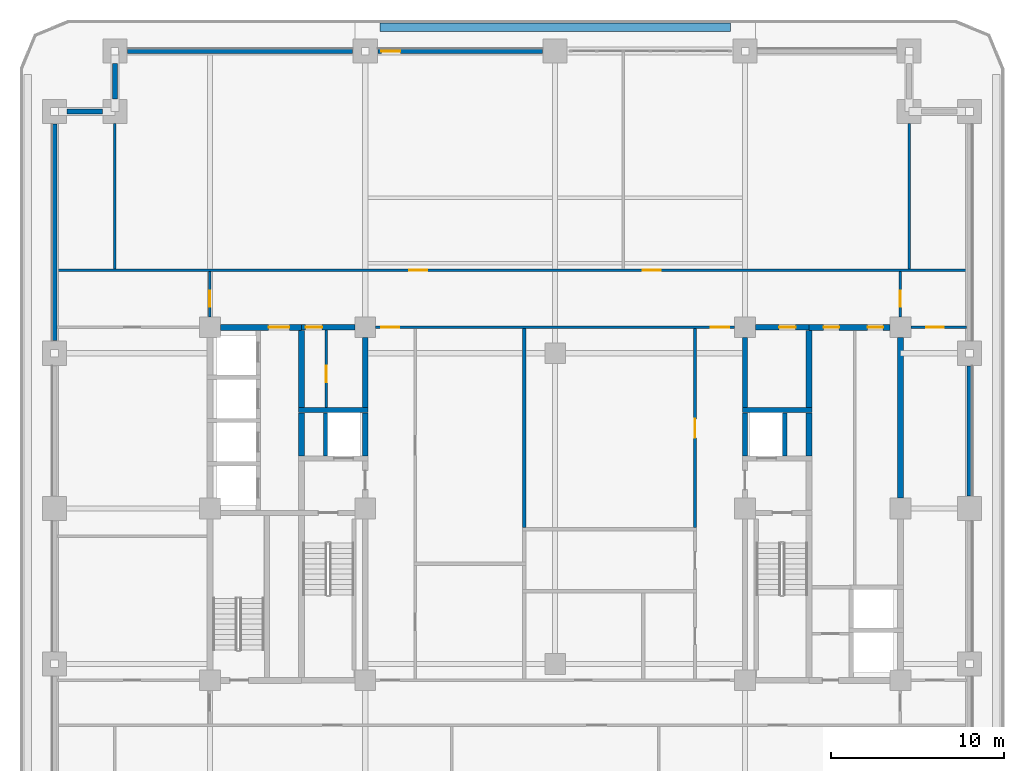
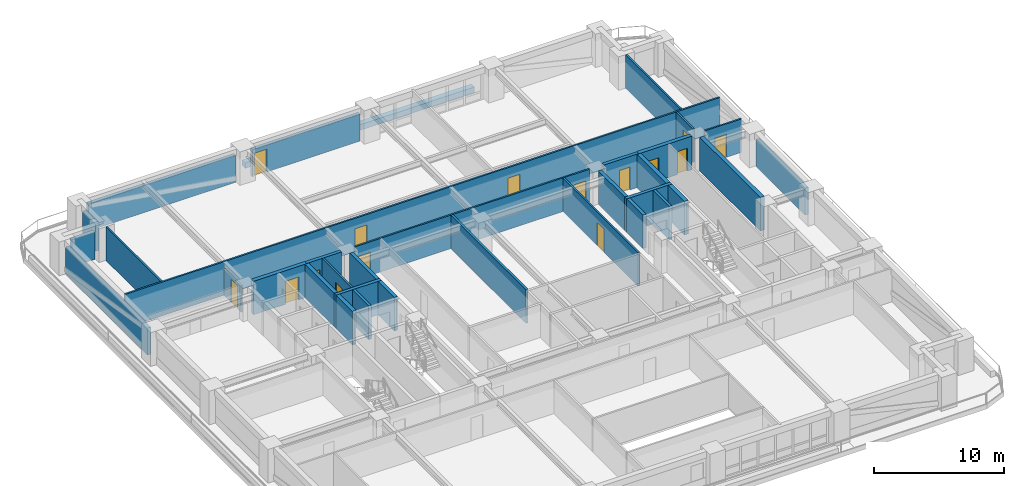
# One storey, part 9 of 18: 34 walls, 15 doors, 15 openings.
"""IFC4 building model written with IfcOpenShell, lengths in metres."""

from ifc_helpers import new_model, si_unit, direction, frame, frame_2d, origin, place, context, subcontext, project, spatial, rectangle, extrude, material, layer, layer_set, type_object, element, fill, save


model = new_model("IFC4")

# Units and contexts
model_context = context("Model", 3, precision=1e-05, world=origin(), true_north=direction((0.0, 1.0)))
body_context = subcontext(model_context, "Body", "Model", "MODEL_VIEW")
ifc_project = project(units=[si_unit("LENGTHUNIT", "METRE"), si_unit("AREAUNIT", "SQUARE_METRE"), si_unit("VOLUMEUNIT", "CUBIC_METRE"), si_unit("PLANEANGLEUNIT", "RADIAN"), si_unit("MASSUNIT", "GRAM", prefix="KILO")], contexts=[model_context])

# Site, building, storey
site_placement = place(None, origin())
site = spatial("IfcSite", under=ifc_project, at=site_placement, CompositionType="ELEMENT")
building_placement = place(site_placement, origin())
building = spatial("IfcBuilding", under=site, at=building_placement, Name="Zulmaris Gate Convention Tower", CompositionType="ELEMENT")
storey_placement = place(building_placement, frame((0.0, 0.0, 78.60986328125)))
storey = spatial("IfcBuildingStorey", under=building, at=storey_placement, Name="L19", CompositionType="ELEMENT", Elevation=78.60986328125)

# Walls
ifc_material_1 = material(Name="Concrete C50/60", Category="concrete")
ifc_layer_1 = layer(ifc_material_1, 0.25, Name="Concrete C50/60")
ifc_layer_set_1 = layer_set([ifc_layer_1], Name="Concrete C50/60")
wall_type_1 = type_object("IfcWallType", Name="CORE-250", PredefinedType="SOLIDWALL", material=ifc_layer_set_1)
for number, where, z_axis, x_axis, name in (
    (1, (-13.300048828125, 3.052001953125, 0.0), (0.0, 0.0, 1.0), (0.0, 1.0, 0.0), "WL-L19-050"),
    (2, (13.300048828125, 3.052001953125, 0.0), (0.0, 0.0, 1.0), (0.0, 1.0, 0.0), "WL-L19-061"),
):
    element("IfcWall", number, at=place(storey_placement, frame(where, z_axis=z_axis, x_axis=x_axis)), inside=storey, type_object=wall_type_1, Name=name, PredefinedType="SOLIDWALL", context=body_context, shape_type="SweptSolid", body=[
        extrude(rectangle(XDim=2.49609375, YDim=0.25, at=frame_2d((1.248046875, 0.0))), origin(), (0.0, 0.0, 1.0), 3.14501953125),
    ])
ifc_layer_2 = layer(ifc_material_1, 0.300048828125, Name="Concrete C50/60")
ifc_layer_set_2 = layer_set([ifc_layer_2], Name="Concrete C50/60")
wall_type_2 = type_object("IfcWallType", Name="CORE-300", PredefinedType="SHEAR", material=ifc_layer_set_2)
for number, where, z_axis, x_axis, name in (
    (3, (-14.875, 5.699951171875, 0.0), (0.0, 0.0, 1.0), (1.0, 0.0, 0.0), "WL-L19-013"),
    (4, (10.85009765625, 5.699951171875, 0.0), (0.0, 0.0, 1.0), (1.0, 0.0, 0.0), "WL-L19-014"),
):
    element("IfcWall", number, at=place(storey_placement, frame(where, z_axis=z_axis, x_axis=x_axis)), inside=storey, type_object=wall_type_2, Name=name, PredefinedType="SHEAR", context=body_context, shape_type="SweptSolid", body=[
        extrude(rectangle(XDim=4.02490234375, YDim=0.300048828125, at=frame_2d((2.012451171875, 0.0))), origin(), (0.0, 0.0, 1.0), 3.14501953125),
    ])

# Wall, opening, door
wall_1_placement = place(storey_placement, frame((-14.699951171875, 10.5, 0.0), z_axis=(0.0, 0.0, 1.0), x_axis=(1.0, 0.0, 0.0)))
wall_1 = element("IfcWall", 5, at=wall_1_placement, inside=storey, type_object=wall_type_2, Name="WL-L19-017", PredefinedType="SHEAR", context=body_context, shape_type="SweptSolid", body=[
    extrude(rectangle(XDim=3.095947265625, YDim=0.300048828125, at=frame_2d((1.5478515625, 0.0))), origin(), (0.0, 0.0, 1.0), 3.14501953125),
])
opening_1_placement = place(wall_1_placement, frame((0.2451171875, 0.0, 0.0)))
opening_1 = element("IfcOpeningElement", 6, at=opening_1_placement, cuts=wall_1, Name="Opening D-11", PredefinedType="OPENING", context=body_context, shape_type="SweptSolid", body=[
    extrude(rectangle(XDim=0.949951171875, YDim=2.14990234375, at=frame_2d((0.47509765625, 1.074951171875))), frame((0.0, 0.16015625, 0.0), z_axis=(0.0, -1.0, 0.0), x_axis=(1.0, 0.0, 0.0)), (0.0, 0.0, 1.0), 0.320068359375),
])
ifc_material_2 = material(Name="Fire-Rated Timber", Category="wood")
door_type_1 = type_object("IfcDoorType", Name="DR-950-FD", OperationType="NOTDEFINED", PredefinedType="DOOR", material=ifc_material_2)
door_1_placement = place(opening_1_placement, origin())
door_1 = element("IfcDoor", 7, at=door_1_placement, inside=storey, type_object=door_type_1, Name="L19 Core Mail Room Door 07", OperationType="SINGLE_SWING_RIGHT", OverallHeight=2.14990234375, OverallWidth=0.949951171875, PredefinedType="DOOR", context=body_context, shape_type="SweptSolid", body=[
    extrude(rectangle(XDim=0.949951171875, YDim=2.14990234375, at=frame_2d((0.47509765625, 1.074951171875))), frame((0.0, 0.02490234375, 0.0), z_axis=(0.0, -1.0, 0.0), x_axis=(1.0, 0.0, 0.0)), (0.0, 0.0, 1.0), 0.050048828125),
])
fill(opening_1, door_1)

wall_2_placement = place(storey_placement, frame((11.60400390625, 10.5, 0.0), z_axis=(0.0, 0.0, 1.0), x_axis=(1.0, 0.0, 0.0)))
wall_2 = element("IfcWall", 8, at=wall_2_placement, inside=storey, type_object=wall_type_2, Name="WL-L19-018", PredefinedType="SHEAR", context=body_context, shape_type="SweptSolid", body=[
    extrude(rectangle(XDim=3.095947265625, YDim=0.300048828125, at=frame_2d((1.5478515625, 0.0))), origin(), (0.0, 0.0, 1.0), 3.14501953125),
])
opening_2_placement = place(wall_2_placement, frame((1.37109375, 0.0, 0.0)))
opening_2 = element("IfcOpeningElement", 9, at=opening_2_placement, cuts=wall_2, Name="Opening D-11", PredefinedType="OPENING", context=body_context, shape_type="SweptSolid", body=[
    extrude(rectangle(XDim=0.949951171875, YDim=2.14990234375, at=frame_2d((0.47509765625, 1.074951171875))), frame((0.0, 0.16015625, 0.0), z_axis=(0.0, -1.0, 0.0), x_axis=(1.0, 0.0, 0.0)), (0.0, 0.0, 1.0), 0.320068359375),
])
door_2_placement = place(opening_2_placement, origin())
door_2 = element("IfcDoor", 10, at=door_2_placement, inside=storey, type_object=door_type_1, Name="L19 Core Tea Pantry Door 09", OperationType="SINGLE_SWING_RIGHT", OverallHeight=2.14990234375, OverallWidth=0.949951171875, PredefinedType="DOOR", context=body_context, shape_type="SweptSolid", body=[
    extrude(rectangle(XDim=0.949951171875, YDim=2.14990234375, at=frame_2d((0.47509765625, 1.074951171875))), frame((0.0, 0.02490234375, 0.0), z_axis=(0.0, -1.0, 0.0), x_axis=(1.0, 0.0, 0.0)), (0.0, 0.0, 1.0), 0.050048828125),
])
fill(opening_2, door_2)

# Walls
wall_3_placement = place(storey_placement, frame((-11.0, 3.052001953125, 0.0), z_axis=(0.0, 0.0, 1.0), x_axis=(0.0, 1.0, 0.0)))
element("IfcWall", 11, at=wall_3_placement, inside=storey, type_object=wall_type_2, Name="WL-L19-054", PredefinedType="SHEAR", context=body_context, shape_type="SweptSolid", body=[
    extrude(rectangle(XDim=2.49609375, YDim=0.300048828125, at=frame_2d((1.248046875, 0.0))), origin(), (0.0, 0.0, 1.0), 3.14501953125),
])
wall_4_placement = place(storey_placement, frame((-11.0, 5.85205078125, 0.0), z_axis=(0.0, 0.0, 1.0), x_axis=(0.0, 1.0, 0.0)))
element("IfcWall", 12, at=wall_4_placement, inside=storey, type_object=wall_type_2, Name="WL-L19-055", PredefinedType="SHEAR", context=body_context, shape_type="SweptSolid", body=[
    extrude(rectangle(XDim=4.0439453125, YDim=0.300048828125, at=frame_2d((2.02197265625, 0.0))), origin(), (0.0, 0.0, 1.0), 3.14501953125),
])
wall_5_placement = place(storey_placement, frame((11.0, 3.052001953125, 0.0), z_axis=(0.0, 0.0, 1.0), x_axis=(0.0, 1.0, 0.0)))
element("IfcWall", 13, at=wall_5_placement, inside=storey, type_object=wall_type_2, Name="WL-L19-058", PredefinedType="SHEAR", context=body_context, shape_type="SweptSolid", body=[
    extrude(rectangle(XDim=2.49609375, YDim=0.300048828125, at=frame_2d((1.248046875, 0.0))), origin(), (0.0, 0.0, 1.0), 3.14501953125),
])
wall_6_placement = place(storey_placement, frame((11.0, 5.85205078125, 0.0), z_axis=(0.0, 0.0, 1.0), x_axis=(0.0, 1.0, 0.0)))
element("IfcWall", 14, at=wall_6_placement, inside=storey, type_object=wall_type_2, Name="WL-L19-059", PredefinedType="SHEAR", context=body_context, shape_type="SweptSolid", body=[
    extrude(rectangle(XDim=4.0439453125, YDim=0.300048828125, at=frame_2d((2.02197265625, 0.0))), origin(), (0.0, 0.0, 1.0), 3.14501953125),
])

# Wall, opening, door
ifc_material_3 = material(Name="Concrete C55/67", Category="concrete")
ifc_layer_3 = layer(ifc_material_3, 0.35009765625, Name="Concrete C55/67")
ifc_layer_set_3 = layer_set([ifc_layer_3], Name="Concrete C55/67")
wall_type_3 = type_object("IfcWallType", Name="CORE-350", PredefinedType="SHEAR", material=ifc_layer_set_3)
wall_7_placement = place(storey_placement, frame((-19.39599609375, 10.5, 0.0), z_axis=(0.0, 0.0, 1.0), x_axis=(1.0, 0.0, 0.0)))
wall_7 = element("IfcWall", 15, at=wall_7_placement, inside=storey, type_object=wall_type_3, Name="WL-L19-016", PredefinedType="SHEAR", context=body_context, shape_type="SweptSolid", body=[
    extrude(rectangle(XDim=4.696044921875, YDim=0.35009765625, at=frame_2d((2.34814453125, 0.0))), origin(), (0.0, 0.0, 1.0), 3.14501953125),
])
opening_3_placement = place(wall_7_placement, frame((2.7958984375, 0.0, 0.0)))
opening_3 = element("IfcOpeningElement", 16, at=opening_3_placement, cuts=wall_7, Name="Opening D-13", PredefinedType="OPENING", context=body_context, shape_type="SweptSolid", body=[
    extrude(rectangle(XDim=1.199951171875, YDim=2.14990234375, at=frame_2d((0.60009765625, 1.074951171875))), frame((0.0, 0.18505859375, 0.0), z_axis=(0.0, -1.0, 0.0), x_axis=(1.0, 0.0, 0.0)), (0.0, 0.0, 1.0), 0.3701171875),
])
ifc_material_4 = material(Name="Fire-Rated Steel", Category="steel")
door_type_2 = type_object("IfcDoorType", Name="DR-1200-FD", OperationType="NOTDEFINED", PredefinedType="DOOR", material=ifc_material_4)
door_3_placement = place(opening_3_placement, origin())
door_3 = element("IfcDoor", 17, at=door_3_placement, inside=storey, type_object=door_type_2, Name="L19 Low-Rise Lift Lobby Door 11", OperationType="SINGLE_SWING_RIGHT", OverallHeight=2.14990234375, OverallWidth=1.199951171875, PredefinedType="DOOR", context=body_context, shape_type="SweptSolid", body=[
    extrude(rectangle(XDim=1.199951171875, YDim=2.14990234375, at=frame_2d((0.60009765625, 1.074951171875))), frame((0.0, 0.02490234375, 0.0), z_axis=(0.0, -1.0, 0.0), x_axis=(1.0, 0.0, 0.0)), (0.0, 0.0, 1.0), 0.050048828125),
])
fill(opening_3, door_3)

# Wall, openings, doors
wall_8_placement = place(storey_placement, frame((14.699951171875, 10.5, 0.0), z_axis=(0.0, 0.0, 1.0), x_axis=(1.0, 0.0, 0.0)))
wall_8 = element("IfcWall", 18, at=wall_8_placement, inside=storey, type_object=wall_type_3, Name="WL-L19-019", PredefinedType="SHEAR", context=body_context, shape_type="SweptSolid", body=[
    extrude(rectangle(XDim=4.696044921875, YDim=0.35009765625, at=frame_2d((2.34814453125, 0.0))), origin(), (0.0, 0.0, 1.0), 3.14501953125),
])
opening_4_placement = place(wall_8_placement, frame((0.85009765625, 0.0, 0.0)))
opening_4 = element("IfcOpeningElement", 19, at=opening_4_placement, cuts=wall_8, Name="Opening D-12", PredefinedType="OPENING", context=body_context, shape_type="SweptSolid", body=[
    extrude(rectangle(XDim=0.89990234375, YDim=2.14990234375, at=frame_2d((0.449951171875, 1.074951171875))), frame((0.0, 0.18505859375, 0.0), z_axis=(0.0, -1.0, 0.0), x_axis=(1.0, 0.0, 0.0)), (0.0, 0.0, 1.0), 0.3701171875),
])
opening_5_placement = place(wall_8_placement, frame((3.39990234375, 0.0, 0.0)))
opening_5 = element("IfcOpeningElement", 20, at=opening_5_placement, cuts=wall_8, Name="Opening D-12", PredefinedType="OPENING", context=body_context, shape_type="SweptSolid", body=[
    extrude(rectangle(XDim=0.89990234375, YDim=2.14990234375, at=frame_2d((0.449951171875, 1.074951171875))), frame((0.0, 0.18505859375, 0.0), z_axis=(0.0, -1.0, 0.0), x_axis=(1.0, 0.0, 0.0)), (0.0, 0.0, 1.0), 0.3701171875),
])
door_type_3 = type_object("IfcDoorType", Name="DR-900-FD", OperationType="NOTDEFINED", PredefinedType="DOOR", material=ifc_material_2)
door_4_placement = place(opening_4_placement, origin())
door_4 = element("IfcDoor", 21, at=door_4_placement, inside=storey, type_object=door_type_3, Name="L19 East IT Room Door 18", OperationType="SINGLE_SWING_LEFT", OverallHeight=2.14990234375, OverallWidth=0.89990234375, PredefinedType="DOOR", context=body_context, shape_type="SweptSolid", body=[
    extrude(rectangle(XDim=0.89990234375, YDim=2.14990234375, at=frame_2d((0.449951171875, 1.074951171875))), frame((0.0, 0.02490234375, 0.0), z_axis=(0.0, -1.0, 0.0), x_axis=(1.0, 0.0, 0.0)), (0.0, 0.0, 1.0), 0.050048828125),
])
fill(opening_4, door_4)
door_5_placement = place(opening_5_placement, origin())
door_5 = element("IfcDoor", 22, at=door_5_placement, inside=storey, type_object=door_type_3, Name="L19 East Linen Store Door 19", OperationType="SINGLE_SWING_RIGHT", OverallHeight=2.14990234375, OverallWidth=0.89990234375, PredefinedType="DOOR", context=body_context, shape_type="SweptSolid", body=[
    extrude(rectangle(XDim=0.89990234375, YDim=2.14990234375, at=frame_2d((0.449951171875, 1.074951171875))), frame((0.0, 0.02490234375, 0.0), z_axis=(0.0, -1.0, 0.0), x_axis=(1.0, 0.0, 0.0)), (0.0, 0.0, 1.0), 0.050048828125),
])
fill(opening_5, door_5)

# Walls
wall_9_placement = place(storey_placement, frame((-14.699951171875, 3.052001953125, 0.0), z_axis=(0.0, 0.0, 1.0), x_axis=(0.0, 1.0, 0.0)))
element("IfcWall", 23, at=wall_9_placement, inside=storey, type_object=wall_type_3, Name="WL-L19-048", PredefinedType="SHEAR", context=body_context, shape_type="SweptSolid", body=[
    extrude(rectangle(XDim=2.49609375, YDim=0.35009765625, at=frame_2d((1.248046875, 0.0))), origin(), (0.0, 0.0, 1.0), 3.14501953125),
])
wall_10_placement = place(storey_placement, frame((-14.699951171875, 5.85205078125, 0.0), z_axis=(0.0, 0.0, 1.0), x_axis=(0.0, 1.0, 0.0)))
element("IfcWall", 24, at=wall_10_placement, inside=storey, type_object=wall_type_3, Name="WL-L19-049", PredefinedType="SHEAR", context=body_context, shape_type="SweptSolid", body=[
    extrude(rectangle(XDim=4.470947265625, YDim=0.35009765625, at=frame_2d((2.2353515625, 0.0))), origin(), (0.0, 0.0, 1.0), 3.14501953125),
])
wall_11_placement = place(storey_placement, frame((14.699951171875, 3.052001953125, 0.0), z_axis=(0.0, 0.0, 1.0), x_axis=(0.0, 1.0, 0.0)))
element("IfcWall", 25, at=wall_11_placement, inside=storey, type_object=wall_type_3, Name="WL-L19-064", PredefinedType="SHEAR", context=body_context, shape_type="SweptSolid", body=[
    extrude(rectangle(XDim=2.49609375, YDim=0.35009765625, at=frame_2d((1.248046875, 0.0))), origin(), (0.0, 0.0, 1.0), 3.14501953125),
])
wall_12_placement = place(storey_placement, frame((14.699951171875, 5.85205078125, 0.0), z_axis=(0.0, 0.0, 1.0), x_axis=(0.0, 1.0, 0.0)))
element("IfcWall", 26, at=wall_12_placement, inside=storey, type_object=wall_type_3, Name="WL-L19-065", PredefinedType="SHEAR", context=body_context, shape_type="SweptSolid", body=[
    extrude(rectangle(XDim=4.470947265625, YDim=0.35009765625, at=frame_2d((2.2353515625, 0.0))), origin(), (0.0, 0.0, 1.0), 3.14501953125),
])
wall_13_placement = place(storey_placement, frame((20.0, 0.60400390625, 0.0), z_axis=(0.0, 0.0, 1.0), x_axis=(0.0, 1.0, 0.0)))
element("IfcWall", 27, at=wall_13_placement, inside=storey, type_object=wall_type_3, Name="WL-L19-070S1", PredefinedType="SHEAR", context=body_context, shape_type="SweptSolid", body=[
    extrude(rectangle(XDim=9.2919921875, YDim=0.35009765625, at=frame_2d((4.64599609375, 0.0))), origin(), (0.0, 0.0, 1.0), 3.14501953125),
])

# Wall, openings, doors
ifc_material_5 = material(Name="Gypsum Metal Stud Partition")
ifc_layer_4 = layer(ifc_material_5, 0.14990234375, Name="Gypsum Metal Stud Partition")
ifc_layer_set_4 = layer_set([ifc_layer_4], Name="Gypsum Metal Stud Partition")
wall_type_4 = type_object("IfcWallType", Name="PART-150", PredefinedType="PARTITIONING", material=ifc_layer_set_4)
wall_14_placement = place(storey_placement, frame((-10.39404296875, 10.5, 0.0), z_axis=(0.0, 0.0, 1.0), x_axis=(1.0, 0.0, 0.0)))
wall_14 = element("IfcWall", 28, at=wall_14_placement, inside=storey, type_object=wall_type_4, Name="WL-L19-033", PredefinedType="PARTITIONING", context=body_context, shape_type="SweptSolid", body=[
    extrude(rectangle(XDim=20.7880859375, YDim=0.14990234375, at=frame_2d((10.39404296875, 0.0))), origin(), (0.0, 0.0, 1.0), 3.14501953125),
])
opening_6_placement = place(wall_14_placement, frame((0.319091796875, 0.0, 0.0)))
opening_6 = element("IfcOpeningElement", 29, at=opening_6_placement, cuts=wall_14, Name="Opening D-09", PredefinedType="OPENING", context=body_context, shape_type="SweptSolid", body=[
    extrude(rectangle(XDim=1.050048828125, YDim=2.14990234375, at=frame_2d((0.52490234375, 1.074951171875))), frame((0.0, 0.0849609375, 0.0), z_axis=(0.0, -1.0, 0.0), x_axis=(1.0, 0.0, 0.0)), (0.0, 0.0, 1.0), 0.169921875),
])
opening_7_placement = place(wall_14_placement, frame((19.4189453125, 0.0, 0.0)))
opening_7 = element("IfcOpeningElement", 30, at=opening_7_placement, cuts=wall_14, Name="Opening D-09", PredefinedType="OPENING", context=body_context, shape_type="SweptSolid", body=[
    extrude(rectangle(XDim=1.050048828125, YDim=2.14990234375, at=frame_2d((0.52490234375, 1.074951171875))), frame((0.0, 0.0849609375, 0.0), z_axis=(0.0, -1.0, 0.0), x_axis=(1.0, 0.0, 0.0)), (0.0, 0.0, 1.0), 0.169921875),
])
door_type_4 = type_object("IfcDoorType", Name="DR-1050-FD", OperationType="NOTDEFINED", PredefinedType="DOOR", material=ifc_material_4)
door_6_placement = place(opening_6_placement, origin())
door_6 = element("IfcDoor", 31, at=door_6_placement, inside=storey, type_object=door_type_4, Name="L19 NW Spine Link Door 20", OperationType="SINGLE_SWING_LEFT", OverallHeight=2.14990234375, OverallWidth=1.050048828125, PredefinedType="DOOR", context=body_context, shape_type="SweptSolid", body=[
    extrude(rectangle(XDim=1.050048828125, YDim=2.14990234375, at=frame_2d((0.52490234375, 1.074951171875))), frame((0.0, 0.02490234375, 0.0), z_axis=(0.0, -1.0, 0.0), x_axis=(1.0, 0.0, 0.0)), (0.0, 0.0, 1.0), 0.050048828125),
])
fill(opening_6, door_6)
door_7_placement = place(opening_7_placement, origin())
door_7 = element("IfcDoor", 32, at=door_7_placement, inside=storey, type_object=door_type_4, Name="L19 NE Spine Link Door 22", OperationType="SINGLE_SWING_LEFT", OverallHeight=2.14990234375, OverallWidth=1.050048828125, PredefinedType="DOOR", context=body_context, shape_type="SweptSolid", body=[
    extrude(rectangle(XDim=1.050048828125, YDim=2.14990234375, at=frame_2d((0.52490234375, 1.074951171875))), frame((0.0, 0.02490234375, 0.0), z_axis=(0.0, -1.0, 0.0), x_axis=(1.0, 0.0, 0.0)), (0.0, 0.0, 1.0), 0.050048828125),
])
fill(opening_7, door_7)

# Wall, opening, door
wall_15_placement = place(storey_placement, frame((20.60595703125, 10.5, 0.0), z_axis=(0.0, 0.0, 1.0), x_axis=(1.0, 0.0, 0.0)))
wall_15 = element("IfcWall", 33, at=wall_15_placement, inside=storey, type_object=wall_type_4, Name="WL-L19-034", PredefinedType="PARTITIONING", context=body_context, shape_type="SweptSolid", body=[
    extrude(rectangle(XDim=3.22900390625, YDim=0.14990234375, at=frame_2d((1.614501953125, 0.0))), origin(), (0.0, 0.0, 1.0), 3.14501953125),
])
opening_8_placement = place(wall_15_placement, frame((0.89404296875, 0.0, 0.0)))
opening_8 = element("IfcOpeningElement", 34, at=opening_8_placement, cuts=wall_15, Name="Opening D-10", PredefinedType="OPENING", context=body_context, shape_type="SweptSolid", body=[
    extrude(rectangle(XDim=1.0, YDim=2.14990234375, at=frame_2d((0.5, 1.074951171875))), frame((0.0, 0.0849609375, 0.0), z_axis=(0.0, -1.0, 0.0), x_axis=(1.0, 0.0, 0.0)), (0.0, 0.0, 1.0), 0.169921875),
])
door_type_5 = type_object("IfcDoorType", Name="DR-1000-FD", OperationType="NOTDEFINED", PredefinedType="DOOR", material=ifc_material_2)
door_8_placement = place(opening_8_placement, origin())
door_8 = element("IfcDoor", 35, at=door_8_placement, inside=storey, type_object=door_type_5, Name="L19 East Workplace North Door 43", OperationType="SINGLE_SWING_RIGHT", OverallHeight=2.14990234375, OverallWidth=1.0, PredefinedType="DOOR", context=body_context, shape_type="SweptSolid", body=[
    extrude(rectangle(XDim=1.0, YDim=2.14990234375, at=frame_2d((0.5, 1.074951171875))), frame((0.0, 0.02490234375, 0.0), z_axis=(0.0, -1.0, 0.0), x_axis=(1.0, 0.0, 0.0)), (0.0, 0.0, 1.0), 0.050048828125),
])
fill(opening_8, door_8)

# Wall, openings, doors
wall_16_placement = place(storey_placement, frame((-28.8349609375, 13.800048828125, 0.0), z_axis=(0.0, 0.0, 1.0), x_axis=(1.0, 0.0, 0.0)))
wall_16 = element("IfcWall", 36, at=wall_16_placement, inside=storey, type_object=wall_type_4, Name="WL-L19-035", PredefinedType="PARTITIONING", context=body_context, shape_type="SweptSolid", body=[
    extrude(rectangle(XDim=52.669921875, YDim=0.14990234375, at=frame_2d((26.3349609375, 0.0))), origin(), (0.0, 0.0, 1.0), 3.14501953125),
])
opening_9_placement = place(wall_16_placement, frame((20.3798828125, 0.0, 0.0)))
opening_9 = element("IfcOpeningElement", 37, at=opening_9_placement, cuts=wall_16, Name="Opening D-09", PredefinedType="OPENING", context=body_context, shape_type="SweptSolid", body=[
    extrude(rectangle(XDim=1.050048828125, YDim=2.14990234375, at=frame_2d((0.52490234375, 1.074951171875))), frame((0.0, 0.0849609375, 0.0), z_axis=(0.0, -1.0, 0.0), x_axis=(1.0, 0.0, 0.0)), (0.0, 0.0, 1.0), 0.169921875),
])
opening_10_placement = place(wall_16_placement, frame((33.909912109375, 0.0, 0.0)))
opening_10 = element("IfcOpeningElement", 38, at=opening_10_placement, cuts=wall_16, Name="Opening D-09", PredefinedType="OPENING", context=body_context, shape_type="SweptSolid", body=[
    extrude(rectangle(XDim=1.050048828125, YDim=2.14990234375, at=frame_2d((0.52490234375, 1.074951171875))), frame((0.0, 0.0849609375, 0.0), z_axis=(0.0, -1.0, 0.0), x_axis=(1.0, 0.0, 0.0)), (0.0, 0.0, 1.0), 0.169921875),
])
door_9_placement = place(opening_9_placement, origin())
door_9 = element("IfcDoor", 39, at=door_9_placement, inside=storey, type_object=door_type_4, Name="L19 Research Reading Room Door 24", OperationType="SINGLE_SWING_LEFT", OverallHeight=2.14990234375, OverallWidth=1.050048828125, PredefinedType="DOOR", context=body_context, shape_type="SweptSolid", body=[
    extrude(rectangle(XDim=1.050048828125, YDim=2.14990234375, at=frame_2d((0.52490234375, 1.074951171875))), frame((0.0, 0.02490234375, 0.0), z_axis=(0.0, -1.0, 0.0), x_axis=(1.0, 0.0, 0.0)), (0.0, 0.0, 1.0), 0.050048828125),
])
fill(opening_9, door_9)
door_10_placement = place(opening_10_placement, origin())
door_10 = element("IfcDoor", 40, at=door_10_placement, inside=storey, type_object=door_type_4, Name="L19 Quiet Focus Study Door 25", OperationType="SINGLE_SWING_RIGHT", OverallHeight=2.14990234375, OverallWidth=1.050048828125, PredefinedType="DOOR", context=body_context, shape_type="SweptSolid", body=[
    extrude(rectangle(XDim=1.050048828125, YDim=2.14990234375, at=frame_2d((0.52490234375, 1.074951171875))), frame((0.0, 0.02490234375, 0.0), z_axis=(0.0, -1.0, 0.0), x_axis=(1.0, 0.0, 0.0)), (0.0, 0.0, 1.0), 0.050048828125),
])
fill(opening_10, door_10)

# Wall
wall_17_placement = place(storey_placement, frame((-25.5, 13.8779296875, 0.0), z_axis=(0.0, 0.0, 1.0), x_axis=(0.0, 1.0, 0.0)))
element("IfcWall", 41, at=wall_17_placement, inside=storey, type_object=wall_type_4, Name="WL-L19-072", PredefinedType="PARTITIONING", context=body_context, shape_type="SweptSolid", body=[
    extrude(rectangle(XDim=8.416015625, YDim=0.14990234375, at=frame_2d((4.2080078125, 0.0))), origin(), (0.0, 0.0, 1.0), 3.14501953125),
])

# Wall, opening, door
wall_18_placement = place(storey_placement, frame((-20.0, 11.10595703125, 0.0), z_axis=(0.0, 0.0, 1.0), x_axis=(0.0, 1.0, 0.0)))
wall_18 = element("IfcWall", 42, at=wall_18_placement, inside=storey, type_object=wall_type_4, Name="WL-L19-074", PredefinedType="PARTITIONING", context=body_context, shape_type="SweptSolid", body=[
    extrude(rectangle(XDim=2.615966796875, YDim=0.14990234375, at=frame_2d((1.30810546875, 0.0))), origin(), (0.0, 0.0, 1.0), 2.485107421875),
])
opening_11_placement = place(wall_18_placement, frame((0.569091796875, 0.0, 0.0)))
opening_11 = element("IfcOpeningElement", 43, at=opening_11_placement, cuts=wall_18, Name="Opening D-11", PredefinedType="OPENING", context=body_context, shape_type="SweptSolid", body=[
    extrude(rectangle(XDim=0.949951171875, YDim=2.14990234375, at=frame_2d((0.47509765625, 1.074951171875))), frame((0.0, 0.0849609375, 0.0), z_axis=(0.0, -1.0, 0.0), x_axis=(1.0, 0.0, 0.0)), (0.0, 0.0, 1.0), 0.169921875),
])
door_11_placement = place(opening_11_placement, origin())
door_11 = element("IfcDoor", 44, at=door_11_placement, inside=storey, type_object=door_type_1, Name="L19 NW Spur Door 37", OperationType="SINGLE_SWING_RIGHT", OverallHeight=2.14990234375, OverallWidth=0.949951171875, PredefinedType="DOOR", context=body_context, shape_type="SweptSolid", body=[
    extrude(rectangle(XDim=0.949951171875, YDim=2.14990234375, at=frame_2d((0.47509765625, 1.074951171875))), frame((0.0, 0.02490234375, 0.0), z_axis=(0.0, -1.0, 0.0), x_axis=(1.0, 0.0, 0.0)), (0.0, 0.0, 1.0), 0.050048828125),
])
fill(opening_11, door_11)

wall_19_placement = place(storey_placement, frame((-13.25, 5.85302734375, 0.0), z_axis=(0.0, 0.0, 1.0), x_axis=(0.0, 1.0, 0.0)))
wall_19 = element("IfcWall", 45, at=wall_19_placement, inside=storey, type_object=wall_type_4, Name="WL-L19-075", PredefinedType="PARTITIONING", context=body_context, shape_type="SweptSolid", body=[
    extrude(rectangle(XDim=4.493896484375, YDim=0.14990234375, at=frame_2d((2.2470703125, 0.0))), origin(), (0.0, 0.0, 1.0), 3.14501953125),
])
opening_12_placement = place(wall_19_placement, frame((1.471923828125, 0.0, 0.0)))
opening_12 = element("IfcOpeningElement", 46, at=opening_12_placement, cuts=wall_19, Name="Opening D-11", PredefinedType="OPENING", context=body_context, shape_type="SweptSolid", body=[
    extrude(rectangle(XDim=0.949951171875, YDim=2.14990234375, at=frame_2d((0.47509765625, 1.074951171875))), frame((0.0, 0.0849609375, 0.0), z_axis=(0.0, -1.0, 0.0), x_axis=(1.0, 0.0, 0.0)), (0.0, 0.0, 1.0), 0.169921875),
])
door_12_placement = place(opening_12_placement, origin())
door_12 = element("IfcDoor", 47, at=door_12_placement, inside=storey, type_object=door_type_1, Name="L19 Core Janitor Door 08", OperationType="SINGLE_SWING_LEFT", OverallHeight=2.14990234375, OverallWidth=0.949951171875, PredefinedType="DOOR", context=body_context, shape_type="SweptSolid", body=[
    extrude(rectangle(XDim=0.949951171875, YDim=2.14990234375, at=frame_2d((0.47509765625, 1.074951171875))), frame((0.0, 0.02490234375, 0.0), z_axis=(0.0, -1.0, 0.0), x_axis=(1.0, 0.0, 0.0)), (0.0, 0.0, 1.0), 0.050048828125),
])
fill(opening_12, door_12)

wall_20_placement = place(storey_placement, frame((8.10009765625, -1.096923828125, 0.0), z_axis=(0.0, 0.0, 1.0), x_axis=(0.0, 1.0, 0.0)))
wall_20 = element("IfcWall", 48, at=wall_20_placement, inside=storey, type_object=wall_type_4, Name="WL-L19-092", PredefinedType="PARTITIONING", context=body_context, shape_type="SweptSolid", body=[
    extrude(rectangle(XDim=11.51904296875, YDim=0.14990234375, at=frame_2d((5.759521484375, 0.0))), origin(), (0.0, 0.0, 1.0), 3.14501953125),
])
opening_13_placement = place(wall_20_placement, frame((5.197021484375, 0.0, 0.0)))
opening_13 = element("IfcOpeningElement", 49, at=opening_13_placement, cuts=wall_20, Name="Opening D-08", PredefinedType="OPENING", context=body_context, shape_type="SweptSolid", body=[
    extrude(rectangle(XDim=1.10009765625, YDim=2.14990234375, at=frame_2d((0.550048828125, 1.074951171875))), frame((0.0, 0.0849609375, 0.0), z_axis=(0.0, -1.0, 0.0), x_axis=(1.0, 0.0, 0.0)), (0.0, 0.0, 1.0), 0.169921875),
])
door_type_6 = type_object("IfcDoorType", Name="DR-1100-FD", OperationType="NOTDEFINED", PredefinedType="DOOR", material=ifc_material_4)
door_13_placement = place(opening_13_placement, origin())
door_13 = element("IfcDoor", 50, at=door_13_placement, inside=storey, type_object=door_type_6, Name="L19 Seminar Forum Door 33", OperationType="SINGLE_SWING_RIGHT", OverallHeight=2.14990234375, OverallWidth=1.10009765625, PredefinedType="DOOR", context=body_context, shape_type="SweptSolid", body=[
    extrude(rectangle(XDim=1.10009765625, YDim=2.14990234375, at=frame_2d((0.550048828125, 1.074951171875))), frame((0.0, 0.02490234375, 0.0), z_axis=(0.0, -1.0, 0.0), x_axis=(1.0, 0.0, 0.0)), (0.0, 0.0, 1.0), 0.050048828125),
])
fill(opening_13, door_13)

wall_21_placement = place(storey_placement, frame((20.0, 11.10595703125, 0.0), z_axis=(0.0, 0.0, 1.0), x_axis=(0.0, 1.0, 0.0)))
wall_21 = element("IfcWall", 51, at=wall_21_placement, inside=storey, type_object=wall_type_4, Name="WL-L19-095", PredefinedType="PARTITIONING", context=body_context, shape_type="SweptSolid", body=[
    extrude(rectangle(XDim=2.615966796875, YDim=0.14990234375, at=frame_2d((1.30810546875, 0.0))), origin(), (0.0, 0.0, 1.0), 3.14501953125),
])
opening_14_placement = place(wall_21_placement, frame((0.569091796875, 0.0, 0.0)))
opening_14 = element("IfcOpeningElement", 52, at=opening_14_placement, cuts=wall_21, Name="Opening D-11", PredefinedType="OPENING", context=body_context, shape_type="SweptSolid", body=[
    extrude(rectangle(XDim=0.949951171875, YDim=2.14990234375, at=frame_2d((0.47509765625, 1.074951171875))), frame((0.0, 0.0849609375, 0.0), z_axis=(0.0, -1.0, 0.0), x_axis=(1.0, 0.0, 0.0)), (0.0, 0.0, 1.0), 0.169921875),
])
door_14_placement = place(opening_14_placement, origin())
door_14 = element("IfcDoor", 53, at=door_14_placement, inside=storey, type_object=door_type_1, Name="L19 NE Spur Door 41", OperationType="SINGLE_SWING_RIGHT", OverallHeight=2.14990234375, OverallWidth=0.949951171875, PredefinedType="DOOR", context=body_context, shape_type="SweptSolid", body=[
    extrude(rectangle(XDim=0.949951171875, YDim=2.14990234375, at=frame_2d((0.47509765625, 1.074951171875))), frame((0.0, 0.02490234375, 0.0), z_axis=(0.0, -1.0, 0.0), x_axis=(1.0, 0.0, 0.0)), (0.0, 0.0, 1.0), 0.050048828125),
])
fill(opening_14, door_14)

# Walls
wall_22_placement = place(storey_placement, frame((20.5, 13.8779296875, 0.0), z_axis=(0.0, 0.0, 1.0), x_axis=(0.0, 1.0, 0.0)))
element("IfcWall", 54, at=wall_22_placement, inside=storey, type_object=wall_type_4, Name="WL-L19-097", PredefinedType="PARTITIONING", context=body_context, shape_type="SweptSolid", body=[
    extrude(rectangle(XDim=8.416015625, YDim=0.14990234375, at=frame_2d((4.2080078125, 0.0))), origin(), (0.0, 0.0, 1.0), 3.14501953125),
])
ifc_material_6 = material(Name="Autoclaved Aerated Concrete Block and Plasterboard", Category="concrete")
ifc_layer_5 = layer(ifc_material_6, 0.199951171875, Name="Autoclaved Aerated Concrete Block and Plasterboard")
ifc_layer_set_5 = layer_set([ifc_layer_5], Name="Autoclaved Aerated Concrete Block and Plasterboard")
wall_type_5 = type_object("IfcWallType", Name="PART-200", PredefinedType="PARTITIONING", material=ifc_layer_set_5)
wall_23_placement = place(storey_placement, frame((-1.800048828125, -1.096923828125, 0.0), z_axis=(0.0, 0.0, 1.0), x_axis=(0.0, 1.0, 0.0)))
element("IfcWall", 55, at=wall_23_placement, inside=storey, type_object=wall_type_5, Name="WL-L19-084", PredefinedType="PARTITIONING", context=body_context, shape_type="SweptSolid", body=[
    extrude(rectangle(XDim=11.51904296875, YDim=0.199951171875, at=frame_2d((5.759521484375, 0.0))), origin(), (0.0, 0.0, 1.0), 3.14501953125),
])
ifc_material_7 = material(Name="Botanical Green Glazed Precast Concrete C40/50", Category="concrete")
ifc_layer_6 = layer(ifc_material_7, 0.419921875, Name="Botanical Green Glazed Precast Concrete C40/50")
ifc_layer_set_6 = layer_set([ifc_layer_6], Name="Botanical Green Glazed Precast Concrete C40/50")
wall_type_6 = type_object("IfcWallType", Name="PLANTER-CURB-200", PredefinedType="PARAPET", material=ifc_layer_set_6)
wall_24_placement = place(storey_placement, frame((-10.14990234375, 27.8798828125, -0.0400390625), z_axis=(0.0, 0.0, 1.0), x_axis=(1.0, 0.0, 0.0)))
element("IfcWall", 56, at=wall_24_placement, inside=storey, type_object=wall_type_6, Name="L19 Full-Length Balcony Tree Planter Trough", PredefinedType="PARAPET", context=body_context, shape_type="SweptSolid", body=[
    extrude(rectangle(XDim=20.2998046875, YDim=0.47998046875, at=frame_2d((10.14990234375, 0.0))), origin(), (0.0, 0.0, 1.0), 0.52001953125),
])
ifc_material_8 = material(Name="Precast concrete C40/50", Category="concrete")
ifc_layer_7 = layer(ifc_material_8, 0.300048828125, Name="Precast concrete C40/50")
ifc_layer_set_7 = layer_set([ifc_layer_7], Name="Precast concrete C40/50")
wall_type_7 = type_object("IfcWallType", Name="PRECAST-PIER-300", PredefinedType="STANDARD", material=ifc_layer_set_7)
for number, where, z_axis, x_axis, name in (
    (57, (-25.5, 25.77001953125, 0.0), (0.0, 0.0, 1.0), (0.0, -1.0, 0.0), "EW-L19-NOTCH-NW1_0"),
    (58, (-26.22998046875, 23.0, 0.0), (0.0, 0.0, 1.0), (-1.0, 0.0, 0.0), "EW-L19-NOTCH-NW2_0"),
):
    element("IfcWall", number, at=place(storey_placement, frame(where, z_axis=z_axis, x_axis=x_axis)), inside=storey, type_object=wall_type_7, Name=name, PredefinedType="STANDARD", context=body_context, shape_type="SweptSolid", body=[
        extrude(rectangle(XDim=2.0400390625, YDim=0.300048828125, at=frame_2d((1.02001953125, 0.0))), origin(), (0.0, 0.0, 1.0), 2.537109375),
    ])
wall_25_placement = place(storey_placement, frame((-11.72998046875, 26.5, 0.0), z_axis=(0.0, 0.0, 1.0), x_axis=(-1.0, 0.0, 0.0)))
element("IfcWall", 59, at=wall_25_placement, inside=storey, type_object=wall_type_7, Name="EW-L19-N-0_0", PredefinedType="STANDARD", context=body_context, shape_type="SweptSolid", body=[
    extrude(rectangle(XDim=13.0400390625, YDim=0.300048828125, at=frame_2d((6.52001953125, 0.0))), origin(), (0.0, 0.0, 1.0), 2.537109375),
])

# Wall, opening, door
wall_26_placement = place(storey_placement, frame((-0.72998046875, 26.5, 0.0), z_axis=(0.0, 0.0, 1.0), x_axis=(-1.0, 0.0, 0.0)))
wall_26 = element("IfcWall", 60, at=wall_26_placement, inside=storey, type_object=wall_type_7, Name="EW-L19-N-1_0", PredefinedType="STANDARD", context=body_context, shape_type="SweptSolid", body=[
    extrude(rectangle(XDim=9.5400390625, YDim=0.300048828125, at=frame_2d((4.77001953125, 0.0))), origin(), (0.0, 0.0, 1.0), 2.537109375),
])
opening_15_placement = place(wall_26_placement, frame((8.239990234375, 0.0, 0.0)))
opening_15 = element("IfcOpeningElement", 61, at=opening_15_placement, cuts=wall_26, Name="Opening D-04", PredefinedType="OPENING", context=body_context, shape_type="SweptSolid", body=[
    extrude(rectangle(XDim=1.10009765625, YDim=2.14990234375, at=frame_2d((0.550048828125, 1.074951171875))), frame((0.0, 0.16015625, 0.0), z_axis=(0.0, -1.0, 0.0), x_axis=(1.0, 0.0, 0.0)), (0.0, 0.0, 1.0), 0.320068359375),
])
ifc_material_9 = material(Name="Anodised Aluminium and Laminated Glass", Category="aluminium")
door_type_7 = type_object("IfcDoorType", Name="ED-1100", OperationType="SINGLE_SWING_RIGHT", PredefinedType="DOOR", material=ifc_material_9)
door_15_placement = place(opening_15_placement, origin())
door_15 = element("IfcDoor", 62, at=door_15_placement, inside=storey, type_object=door_type_7, Name="L19 N Planted Terrace Door", OperationType="SINGLE_SWING_LEFT", OverallHeight=2.14990234375, OverallWidth=1.10009765625, PredefinedType="DOOR", context=body_context, shape_type="SweptSolid", body=[
    extrude(rectangle(XDim=1.10009765625, YDim=2.14990234375, at=frame_2d((0.550048828125, 1.074951171875))), frame((0.0, 0.02490234375, 0.0), z_axis=(0.0, -1.0, 0.0), x_axis=(1.0, 0.0, 0.0)), (0.0, 0.0, 1.0), 0.050048828125),
])
fill(opening_15, door_15)

# Walls
wall_27_placement = place(storey_placement, frame((24.0, 0.72998046875, 0.0), z_axis=(0.0, 0.0, 1.0), x_axis=(0.0, 1.0, 0.0)))
element("IfcWall", 63, at=wall_27_placement, inside=storey, type_object=wall_type_7, Name="EW-L19-E-2_0", PredefinedType="STANDARD", context=body_context, shape_type="SweptSolid", body=[
    extrude(rectangle(XDim=7.5400390625, YDim=0.300048828125, at=frame_2d((3.77001953125, 0.0))), origin(), (0.0, 0.0, 1.0), 2.537109375),
])
wall_28_placement = place(storey_placement, frame((-29.0, 22.27001953125, 0.0), z_axis=(0.0, 0.0, 1.0), x_axis=(0.0, -1.0, 0.0)))
element("IfcWall", 64, at=wall_28_placement, inside=storey, type_object=wall_type_7, Name="EW-L19-W-3_0", PredefinedType="STANDARD", context=body_context, shape_type="SweptSolid", body=[
    extrude(rectangle(XDim=12.5400390625, YDim=0.300048828125, at=frame_2d((6.27001953125, 0.0))), origin(), (0.0, 0.0, 1.0), 2.537109375),
])

save(model, "model.ifc")
